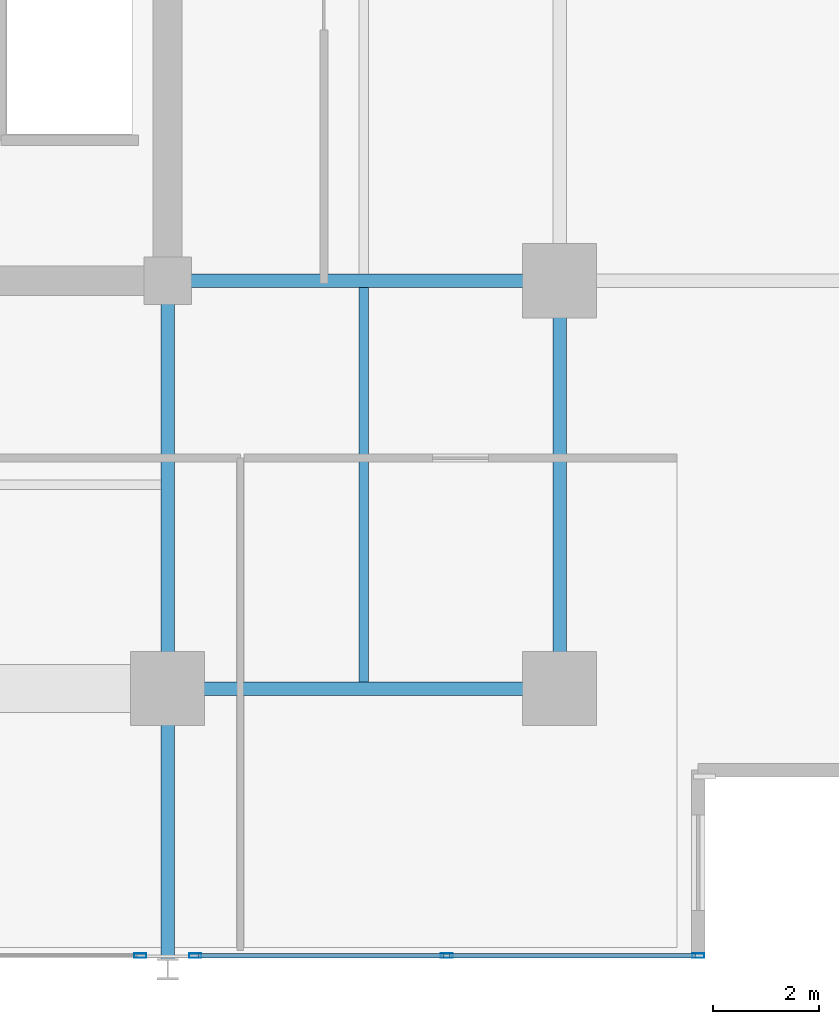
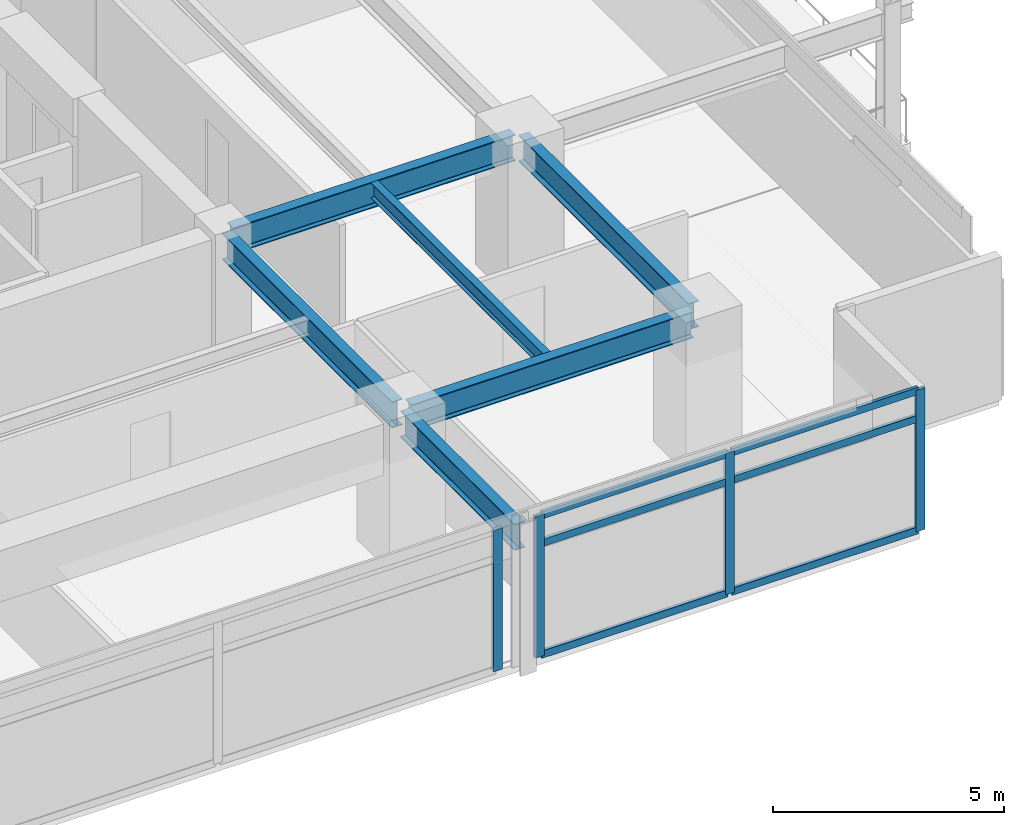
# One storey, part 9 of 21: 10 members, 6 beams, 2 elements without a shape of their own.
"""IFC4 building model written with IfcOpenShell, lengths in metres."""

from ifc_helpers import new_model, si_unit, direction, frame, origin, origin_2d, place, context, subcontext, project, spatial, hollow_rectangle, i_section, extrude, material, material_profile, profile_set, type_object, element, aggregate, save


model = new_model("IFC4")

# Units and contexts
model_context = context("Model", 3, precision=1e-05, world=origin(), true_north=direction((0.0, 1.0)))
body_context = subcontext(model_context, "Body", "Model", "MODEL_VIEW")
ifc_project = project(units=[si_unit("LENGTHUNIT", "METRE"), si_unit("AREAUNIT", "SQUARE_METRE"), si_unit("VOLUMEUNIT", "CUBIC_METRE"), si_unit("PLANEANGLEUNIT", "RADIAN"), si_unit("MASSUNIT", "GRAM", prefix="KILO")], contexts=[model_context])

# Site, building, storey
site_placement = place(None, origin())
site = spatial("IfcSite", under=ifc_project, at=site_placement, CompositionType="ELEMENT")
building_placement = place(site_placement, origin())
building = spatial("IfcBuilding", under=site, at=building_placement, Name="Kovane Verandah Tower", CompositionType="ELEMENT")
storey_placement = place(building_placement, frame((0.0, 0.0, 209.199951171875)))
storey = spatial("IfcBuildingStorey", under=building, at=storey_placement, Name="L48", CompositionType="ELEMENT", Elevation=209.199951171875)

# Beams
ifc_material_1 = material(Name="Steel S355", Category="steel")
ifc_material_profile_1 = material_profile(ifc_material_1, i_section(OverallWidth=0.255859375, OverallDepth=0.69287109375, WebThickness=0.014404296875, FlangeThickness=0.023681640625, FilletRadius=0.01513671875, at=origin_2d()), Name="UB686x254x170")
ifc_profile_set_1 = profile_set([ifc_material_profile_1], Name="Steel S355")
beam_type_1 = type_object("IfcBeamType", Name="BM-UB686x170", PredefinedType="BEAM", material=ifc_profile_set_1)
beam_1_placement = place(storey_placement, frame((51.179931640625, 10.800048828125, 3.428466796875), z_axis=(1.0, 0.0, 0.0), x_axis=(0.0, 1.0, 0.0)))
element("IfcBeam", 1, at=beam_1_placement, inside=storey, type_object=beam_type_1, Name="L48 Primary Tower Girder G-RS3", PredefinedType="BEAM", context=body_context, shape_type="SweptSolid", body=[
    extrude(i_section(OverallWidth=0.255859375, OverallDepth=0.69287109375, WebThickness=0.014404296875, FlangeThickness=0.023681640625, FilletRadius=0.01513671875, at=origin_2d()), origin(), (0.0, 0.0, 1.0), 7.0400390625),
])
beam_2_placement = place(storey_placement, frame((58.39990234375, 10.97998046875, 3.428466796875), z_axis=(0.0, 1.0, 0.0), x_axis=(-1.0, 0.0, 0.0)))
element("IfcBeam", 2, at=beam_2_placement, inside=storey, type_object=beam_type_1, Name="L48 Primary Tower Girder G-RE1", PredefinedType="BEAM", context=body_context, shape_type="SweptSolid", body=[
    extrude(i_section(OverallWidth=0.255859375, OverallDepth=0.69287109375, WebThickness=0.014404296875, FlangeThickness=0.023681640625, FilletRadius=0.01513671875, at=origin_2d()), origin(), (0.0, 0.0, 1.0), 7.340087890625),
])
beam_3_placement = place(storey_placement, frame((51.179931640625, 18.5, 3.428466796875), z_axis=(1.0, 0.0, 0.0), x_axis=(0.0, 1.0, 0.0)))
element("IfcBeam", 3, at=beam_3_placement, inside=storey, type_object=beam_type_1, Name="L48 Primary Tower Girder G-E1", PredefinedType="BEAM", context=body_context, shape_type="SweptSolid", body=[
    extrude(i_section(OverallWidth=0.255859375, OverallDepth=0.69287109375, WebThickness=0.014404296875, FlangeThickness=0.023681640625, FilletRadius=0.01513671875, at=origin_2d()), origin(), (0.0, 0.0, 1.0), 7.0400390625),
])
beam_4_placement = place(storey_placement, frame((51.0, 18.320068359375, 3.428466796875), z_axis=(0.0, -1.0, 0.0), x_axis=(1.0, 0.0, 0.0)))
element("IfcBeam", 4, at=beam_4_placement, inside=storey, type_object=beam_type_1, Name="L48 Primary Tower Girder G-S2", PredefinedType="BEAM", context=body_context, shape_type="SweptSolid", body=[
    extrude(i_section(OverallWidth=0.255859375, OverallDepth=0.69287109375, WebThickness=0.014404296875, FlangeThickness=0.023681640625, FilletRadius=0.01513671875, at=origin_2d()), origin(), (0.0, 0.0, 1.0), 7.340087890625),
])
beam_5_placement = place(storey_placement, frame((51.0, 10.6201171875, 3.41357421875), z_axis=(0.0, -1.0, 0.0), x_axis=(1.0, 0.0, 0.0)))
element("IfcBeam", 5, at=beam_5_placement, inside=storey, type_object=beam_type_1, Name="L48 Primary Tower Girder G-VS2", PredefinedType="BEAM", context=body_context, shape_type="SweptSolid", body=[
    extrude(i_section(OverallWidth=0.255859375, OverallDepth=0.69287109375, WebThickness=0.014404296875, FlangeThickness=0.023681640625, FilletRadius=0.01513671875, at=origin_2d()), origin(), (0.0, 0.0, 1.0), 4.940185546875),
])

# Curtain wall, member
ifc_material_2 = material(Name="Champagne Anodised Aluminium Frame with Low-E Clear Laminated Glass", Category="aluminium")
curtain_wall_type = type_object("IfcCurtainWallType", Name="CW-SYS-03-MID", PredefinedType="NOTDEFINED", material=ifc_material_2)
curtain_wall_1_placement = place(storey_placement, origin())
curtain_wall_1 = element("IfcCurtainWall", 6, at=curtain_wall_1_placement, inside=storey, type_object=curtain_wall_type, Name="L48 S Unitised Curtain Wall-2", PredefinedType="NOTDEFINED")
ifc_material_3 = material(Name="Champagne Anodised Aluminium 6063-T6", Category="aluminium")
ifc_material_profile_2 = material_profile(ifc_material_3, hollow_rectangle(XDim=0.0849609375, YDim=0.22998046875, WallThickness=0.00390625, at=origin_2d()), Name="AL85x230x4")
ifc_profile_set_2 = profile_set([ifc_material_profile_2], Name="Champagne Anodised Aluminium 6063-T6")
member_type_1 = type_object("IfcMemberType", Name="CW-MUL-85x230", PredefinedType="MULLION", material=ifc_profile_set_2)
member_1_placement = place(storey_placement, frame((50.47998046875, 5.75830078125, 0.02001953125), z_axis=(0.0, 0.0, 1.0), x_axis=(0.0, -1.0, 0.0)))
member_1 = element("IfcMember", 7, at=member_1_placement, type_object=member_type_1, Name="L48 S Unitised Curtain Wall-2 Mullion 4", PredefinedType="MULLION", context=body_context, shape_type="SweptSolid", body=[
    extrude(hollow_rectangle(XDim=0.0849609375, YDim=0.22998046875, WallThickness=0.00390625, at=origin_2d()), origin(), (0.0, 0.0, 1.0), 3.735107421875),
])
aggregate(curtain_wall_1, [member_1])

# Curtain wall, members
curtain_wall_2_placement = place(storey_placement, origin())
curtain_wall_2 = element("IfcCurtainWall", 8, at=curtain_wall_2_placement, inside=storey, type_object=curtain_wall_type, Name="L48 S Unitised Curtain Wall-3", PredefinedType="NOTDEFINED")
member_2_placement = place(storey_placement, frame((51.52001953125, 5.75830078125, 0.02001953125), z_axis=(0.0, 0.0, 1.0), x_axis=(0.0, -1.0, 0.0)))
member_2 = element("IfcMember", 9, at=member_2_placement, type_object=member_type_1, Name="L48 S Unitised Curtain Wall-3 Mullion 1", PredefinedType="MULLION", context=body_context, shape_type="SweptSolid", body=[
    extrude(hollow_rectangle(XDim=0.0849609375, YDim=0.22998046875, WallThickness=0.00390625, at=origin_2d()), origin(), (0.0, 0.0, 1.0), 3.735107421875),
])
member_3_placement = place(storey_placement, frame((56.26904296875, 5.75830078125, 0.02001953125), z_axis=(0.0, 0.0, 1.0), x_axis=(0.0, -1.0, 0.0)))
member_3 = element("IfcMember", 10, at=member_3_placement, type_object=member_type_1, Name="L48 S Unitised Curtain Wall-3 Mullion 2", PredefinedType="MULLION", context=body_context, shape_type="SweptSolid", body=[
    extrude(hollow_rectangle(XDim=0.0849609375, YDim=0.22998046875, WallThickness=0.00390625, at=origin_2d()), origin(), (0.0, 0.0, 1.0), 3.735107421875),
])
member_4_placement = place(storey_placement, frame((61.017822265625, 5.75830078125, 0.02001953125), z_axis=(0.0, 0.0, 1.0), x_axis=(0.0, -1.0, 0.0)))
member_4 = element("IfcMember", 11, at=member_4_placement, type_object=member_type_1, Name="L48 S Unitised Curtain Wall-3 Mullion 3", PredefinedType="MULLION", context=body_context, shape_type="SweptSolid", body=[
    extrude(hollow_rectangle(XDim=0.0849609375, YDim=0.22998046875, WallThickness=0.00390625, at=origin_2d()), origin(), (0.0, 0.0, 1.0), 3.735107421875),
])
ifc_material_profile_3 = material_profile(ifc_material_3, hollow_rectangle(XDim=0.0849609375, YDim=0.18994140625, WallThickness=0.00390625, at=origin_2d()), Name="AL85x190x4")
ifc_profile_set_3 = profile_set([ifc_material_profile_3], Name="Champagne Anodised Aluminium 6063-T6")
member_type_2 = type_object("IfcMemberType", Name="CW-TRN-85x190", PredefinedType="USERDEFINED", material=ifc_profile_set_3)
member_5_placement = place(storey_placement, frame((51.570068359375, 5.75830078125, 0.050048828125), z_axis=(1.0, 0.0, 0.0), x_axis=(0.0, 1.0, 0.0)))
member_5 = element("IfcMember", 12, at=member_5_placement, type_object=member_type_2, Name="L48 S Unitised Curtain Wall-3 Transom TB Bay 1", ObjectType="TRANSOM", PredefinedType="USERDEFINED", context=body_context, shape_type="SweptSolid", body=[
    extrude(hollow_rectangle(XDim=0.0849609375, YDim=0.18994140625, WallThickness=0.00390625, at=origin_2d()), origin(), (0.0, 0.0, 1.0), 4.64892578125),
])
member_6_placement = place(storey_placement, frame((51.570068359375, 5.75830078125, 2.9951171875), z_axis=(1.0, 0.0, 0.0), x_axis=(0.0, 1.0, 0.0)))
member_6 = element("IfcMember", 13, at=member_6_placement, type_object=member_type_2, Name="L48 S Unitised Curtain Wall-3 Transom TM Bay 1", ObjectType="TRANSOM", PredefinedType="USERDEFINED", context=body_context, shape_type="SweptSolid", body=[
    extrude(hollow_rectangle(XDim=0.0849609375, YDim=0.18994140625, WallThickness=0.00390625, at=origin_2d()), origin(), (0.0, 0.0, 1.0), 4.64892578125),
])
member_7_placement = place(storey_placement, frame((51.570068359375, 5.75830078125, 3.72509765625), z_axis=(1.0, 0.0, 0.0), x_axis=(0.0, 1.0, 0.0)))
member_7 = element("IfcMember", 14, at=member_7_placement, type_object=member_type_2, Name="L48 S Unitised Curtain Wall-3 Transom TT Bay 1", ObjectType="TRANSOM", PredefinedType="USERDEFINED", context=body_context, shape_type="SweptSolid", body=[
    extrude(hollow_rectangle(XDim=0.0849609375, YDim=0.18994140625, WallThickness=0.00390625, at=origin_2d()), origin(), (0.0, 0.0, 1.0), 4.64892578125),
])
member_8_placement = place(storey_placement, frame((56.319091796875, 5.75830078125, 0.050048828125), z_axis=(1.0, 0.0, 0.0), x_axis=(0.0, 1.0, 0.0)))
member_8 = element("IfcMember", 15, at=member_8_placement, type_object=member_type_2, Name="L48 S Unitised Curtain Wall-3 Transom TB Bay 2", ObjectType="TRANSOM", PredefinedType="USERDEFINED", context=body_context, shape_type="SweptSolid", body=[
    extrude(hollow_rectangle(XDim=0.0849609375, YDim=0.18994140625, WallThickness=0.00390625, at=origin_2d()), origin(), (0.0, 0.0, 1.0), 4.64892578125),
])
member_9_placement = place(storey_placement, frame((56.319091796875, 5.75830078125, 2.9951171875), z_axis=(1.0, 0.0, 0.0), x_axis=(0.0, 1.0, 0.0)))
member_9 = element("IfcMember", 16, at=member_9_placement, type_object=member_type_2, Name="L48 S Unitised Curtain Wall-3 Transom TM Bay 2", ObjectType="TRANSOM", PredefinedType="USERDEFINED", context=body_context, shape_type="SweptSolid", body=[
    extrude(hollow_rectangle(XDim=0.0849609375, YDim=0.18994140625, WallThickness=0.00390625, at=origin_2d()), origin(), (0.0, 0.0, 1.0), 4.64892578125),
])
member_10_placement = place(storey_placement, frame((56.319091796875, 5.75830078125, 3.72509765625), z_axis=(1.0, 0.0, 0.0), x_axis=(0.0, 1.0, 0.0)))
member_10 = element("IfcMember", 17, at=member_10_placement, type_object=member_type_2, Name="L48 S Unitised Curtain Wall-3 Transom TT Bay 2", ObjectType="TRANSOM", PredefinedType="USERDEFINED", context=body_context, shape_type="SweptSolid", body=[
    extrude(hollow_rectangle(XDim=0.0849609375, YDim=0.18994140625, WallThickness=0.00390625, at=origin_2d()), origin(), (0.0, 0.0, 1.0), 4.64892578125),
])
aggregate(curtain_wall_2, [member_2, member_3, member_4, member_5, member_6, member_7, member_8, member_9, member_10])

# Beam
ifc_material_profile_4 = material_profile(ifc_material_1, i_section(OverallWidth=0.179443359375, OverallDepth=0.412841796875, WebThickness=0.009521484375, FlangeThickness=0.01611328125, FilletRadius=0.01025390625, at=origin_2d()), Name="UB406x178x74")
ifc_profile_set_4 = profile_set([ifc_material_profile_4], Name="Steel S355")
beam_type_2 = type_object("IfcBeamType", Name="JST-UB406x74", PredefinedType="JOIST", material=ifc_profile_set_4)
beam_6_placement = place(storey_placement, frame((54.699951171875, 10.92578125, 3.568603515625), z_axis=(0.0, 1.0, 0.0), x_axis=(-1.0, 0.0, 0.0)))
element("IfcBeam", 18, at=beam_6_placement, inside=storey, type_object=beam_type_2, Name="L48 Secondary Composite Joist J-SE1", PredefinedType="JOIST", context=body_context, shape_type="SweptSolid", body=[
    extrude(i_section(OverallWidth=0.179443359375, OverallDepth=0.412841796875, WebThickness=0.009521484375, FlangeThickness=0.01611328125, FilletRadius=0.01025390625, at=origin_2d()), origin(), (0.0, 0.0, 1.0), 7.4482421875),
])

save(model, "model.ifc")
